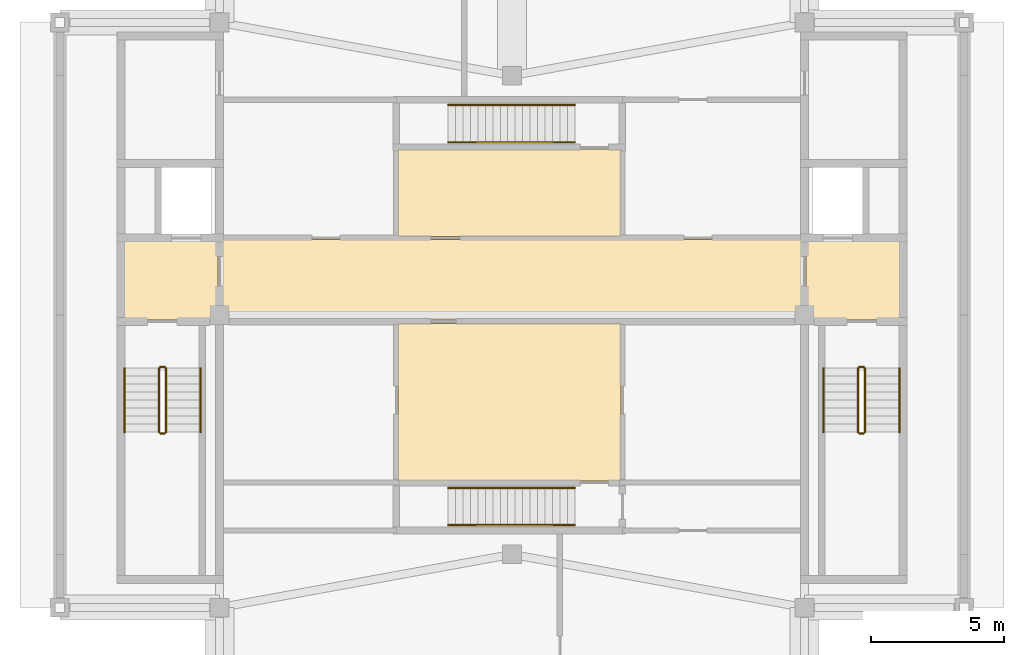
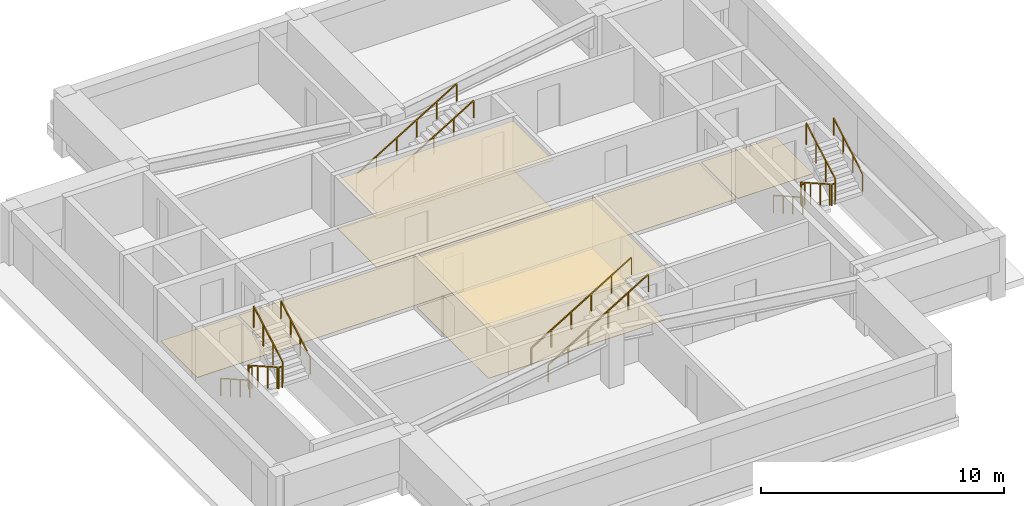
# One storey, part 4 of 4: 16 railings, 7 coverings.
"""IFC4 building model written with IfcOpenShell, lengths in metres."""

from ifc_helpers import new_model, si_unit, direction, frame, origin, origin_2d, place, context, subcontext, project, spatial, polyline, rectangle, outline, extrude, material, layer, layer_set, type_object, element, save


model = new_model("IFC4")

# Units and contexts
model_context = context("Model", 3, precision=1e-05, world=origin(), true_north=direction((0.0, 1.0)))
body_context = subcontext(model_context, "Body", "Model", "MODEL_VIEW")
ifc_project = project(units=[si_unit("LENGTHUNIT", "METRE"), si_unit("AREAUNIT", "SQUARE_METRE"), si_unit("VOLUMEUNIT", "CUBIC_METRE"), si_unit("PLANEANGLEUNIT", "RADIAN"), si_unit("MASSUNIT", "GRAM", prefix="KILO")], contexts=[model_context])

# Site, building, storey
site_placement = place(None, origin())
site = spatial("IfcSite", under=ifc_project, at=site_placement, CompositionType="ELEMENT")
building_placement = place(site_placement, origin())
building = spatial("IfcBuilding", under=site, at=building_placement, Name="Zulmaris Gate Convention Tower", CompositionType="ELEMENT")
storey_placement = place(building_placement, frame((0.0, 0.0, 287.919921875)))
storey = spatial("IfcBuildingStorey", under=building, at=storey_placement, Name="L77", CompositionType="ELEMENT", Elevation=287.919921875)

# Coverings
ifc_material_1 = material(Name="Mineral Fibre Acoustic Ceiling Tile")
ifc_layer_1 = layer(ifc_material_1, 0.02001953125, Name="Mineral Fibre Acoustic Ceiling Tile")
ifc_layer_set_1 = layer_set([ifc_layer_1], Name="Mineral Fibre Acoustic Ceiling Tile")
covering_type_1 = type_object("IfcCoveringType", Name="CLG-ACOUSTIC-600", PredefinedType="CEILING", material=ifc_layer_set_1)
covering_1_placement = place(storey_placement, frame((0.0, 0.0, 2.455078125)))
element("IfcCovering", 1, at=covering_1_placement, inside=storey, type_object=covering_type_1, Name="CLG-L77-R16", PredefinedType="CEILING", context=body_context, shape_type="SweptSolid", body=[
    extrude(outline(polyline([(-4.2900390625, -6.239990234375), (4.090087890625, -6.239990234375), (4.090087890625, -0.31005859375), (-4.2900390625, -0.31005859375), (-4.2900390625, -6.239990234375)])), origin(), (0.0, 0.0, 1.0), 0.02001953125),
])
covering_2_placement = place(storey_placement, frame((0.0, 0.0, 2.455078125)))
element("IfcCovering", 2, at=covering_2_placement, inside=storey, type_object=covering_type_1, Name="CLG-L77-R17", PredefinedType="CEILING", context=body_context, shape_type="SweptSolid", body=[
    extrude(outline(polyline([(-4.2900390625, 2.9599609375), (4.090087890625, 2.9599609375), (4.090087890625, 6.239990234375), (-4.2900390625, 6.239990234375), (-4.2900390625, 2.9599609375)])), origin(), (0.0, 0.0, 1.0), 0.02001953125),
])
ifc_material_2 = material(Name="Woven Acoustic Wool Carpet Tile")
ifc_layer_2 = layer(ifc_material_2, 0.02001953125, Name="Woven Acoustic Wool Carpet Tile")
ifc_layer_set_2 = layer_set([ifc_layer_2], Name="Woven Acoustic Wool Carpet Tile")
covering_type_2 = type_object("IfcCoveringType", Name="FLR-CARPET-12", PredefinedType="FLOORING", material=ifc_layer_set_2)
covering_3_placement = place(storey_placement, origin())
element("IfcCovering", 3, at=covering_3_placement, inside=storey, type_object=covering_type_2, Name="FLR-L77-R03", PredefinedType="FLOORING", context=body_context, shape_type="SweptSolid", body=[
    extrude(outline(polyline([(-14.639892578125, -0.18994140625), (-11.06005859375, -0.18994140625), (-11.06005859375, 2.840087890625), (-14.639892578125, 2.840087890625), (-14.639892578125, -0.18994140625)])), origin(), (0.0, 0.0, 1.0), 0.02001953125),
])
covering_4_placement = place(storey_placement, origin())
element("IfcCovering", 4, at=covering_4_placement, inside=storey, type_object=covering_type_2, Name="FLR-L77-R08", PredefinedType="FLOORING", context=body_context, shape_type="SweptSolid", body=[
    extrude(outline(polyline([(11.06005859375, -0.18994140625), (14.639892578125, -0.18994140625), (14.639892578125, 2.840087890625), (11.06005859375, 2.840087890625), (11.06005859375, -0.18994140625)])), origin(), (0.0, 0.0, 1.0), 0.02001953125),
])
covering_5_placement = place(storey_placement, origin())
element("IfcCovering", 5, at=covering_5_placement, inside=storey, type_object=covering_type_2, Name="FLR-L77-R15", PredefinedType="FLOORING", context=body_context, shape_type="SweptSolid", body=[
    extrude(outline(polyline([(-10.93994140625, -0.18994140625), (10.93994140625, -0.18994140625), (10.93994140625, 2.840087890625), (-10.93994140625, 2.840087890625), (-10.93994140625, -0.18994140625)])), origin(), (0.0, 0.0, 1.0), 0.02001953125),
])
covering_6_placement = place(storey_placement, origin())
element("IfcCovering", 6, at=covering_6_placement, inside=storey, type_object=covering_type_2, Name="FLR-L77-R16", PredefinedType="FLOORING", context=body_context, shape_type="SweptSolid", body=[
    extrude(outline(polyline([(-4.2900390625, -6.239990234375), (4.090087890625, -6.239990234375), (4.090087890625, -0.31005859375), (-4.2900390625, -0.31005859375), (-4.2900390625, -6.239990234375)])), origin(), (0.0, 0.0, 1.0), 0.02001953125),
])
covering_7_placement = place(storey_placement, origin())
element("IfcCovering", 7, at=covering_7_placement, inside=storey, type_object=covering_type_2, Name="FLR-L77-R17", PredefinedType="FLOORING", context=body_context, shape_type="SweptSolid", body=[
    extrude(outline(polyline([(-4.2900390625, 2.9599609375), (4.090087890625, 2.9599609375), (4.090087890625, 6.239990234375), (-4.2900390625, 6.239990234375), (-4.2900390625, 2.9599609375)])), origin(), (0.0, 0.0, 1.0), 0.02001953125),
])

# Railings
ifc_material_3 = material(Name="Painted Galvanised Steel", Category="steel")
railing_type_1 = type_object("IfcRailingType", Name="RL-STG-1150", PredefinedType="GUARDRAIL", material=ifc_material_3)
railing_1_placement = place(storey_placement, frame((-13.27001953125, -2.0, 0.169921875)))
element("IfcRailing", 8, at=railing_1_placement, inside=storey, type_object=railing_type_1, Name="L77 ST-1 stair guard 1", PredefinedType="GUARDRAIL", context=body_context, shape_type="SweptSolid", body=[
    extrude(rectangle(XDim=0.048095703125, YDim=0.048095703125, at=origin_2d()), frame((0.0, 0.0, 1.076171875), z_axis=(0.0, -0.869996876503, 0.493057232859), x_axis=(1.0, 0.0, 0.0)), (0.0, 0.0, 1.0), 2.758544921875),
    extrude(rectangle(XDim=0.0419921875, YDim=0.0419921875, at=origin_2d()), origin(), (0.0, 0.0, 1.0), 1.052001953125),
    extrude(rectangle(XDim=0.0419921875, YDim=0.0419921875, at=origin_2d()), frame((0.0, -0.800048828125, 0.453369140625)), (0.0, 0.0, 1.0), 1.052001953125),
    extrude(rectangle(XDim=0.0419921875, YDim=0.0419921875, at=origin_2d()), frame((0.0, -1.599853515625, 0.90673828125)), (0.0, 0.0, 1.0), 1.052001953125),
    extrude(rectangle(XDim=0.0419921875, YDim=0.0419921875, at=origin_2d()), frame((0.0, -2.39990234375, 1.360107421875)), (0.0, 0.0, 1.0), 1.052001953125),
])
railing_2_placement = place(storey_placement, frame((-13.219970703125, -4.449951171875, 1.530029296875)))
element("IfcRailing", 9, at=railing_2_placement, inside=storey, type_object=railing_type_1, Name="L77 ST-1 stair guard 2", PredefinedType="GUARDRAIL", context=body_context, shape_type="SweptSolid", body=[
    extrude(rectangle(XDim=0.048095703125, YDim=0.048095703125, at=origin_2d()), frame((0.0, 0.0, 1.076171875), z_axis=(1.0, 0.0, 0.0), x_axis=(0.0, 1.0, 0.0)), (0.0, 0.0, 1.0), 0.159912109375),
    extrude(rectangle(XDim=0.0419921875, YDim=0.0419921875, at=origin_2d()), origin(), (0.0, 0.0, 1.0), 1.052001953125),
    extrude(rectangle(XDim=0.0419921875, YDim=0.0419921875, at=origin_2d()), frame((0.159912109375, 0.0, 0.0)), (0.0, 0.0, 1.0), 1.052001953125),
])
railing_3_placement = place(storey_placement, frame((-13.010009765625, -4.39990234375, 1.699951171875)))
element("IfcRailing", 10, at=railing_3_placement, inside=storey, type_object=railing_type_1, Name="L77 ST-1 stair guard 3", PredefinedType="GUARDRAIL", context=body_context, shape_type="SweptSolid", body=[
    extrude(rectangle(XDim=0.048095703125, YDim=0.048095703125, at=origin_2d()), frame((0.0, 0.0, 1.076171875), z_axis=(0.0, 0.869996876503, 0.493057232859), x_axis=(-1.0, 0.0, 0.0)), (0.0, 0.0, 1.0), 2.758544921875),
    extrude(rectangle(XDim=0.0419921875, YDim=0.0419921875, at=origin_2d()), origin(), (0.0, 0.0, 1.0), 1.052001953125),
    extrude(rectangle(XDim=0.0419921875, YDim=0.0419921875, at=origin_2d()), frame((0.0, 0.800048828125, 0.453369140625)), (0.0, 0.0, 1.0), 1.052001953125),
    extrude(rectangle(XDim=0.0419921875, YDim=0.0419921875, at=origin_2d()), frame((0.0, 1.599853515625, 0.90673828125)), (0.0, 0.0, 1.0), 1.052001953125),
    extrude(rectangle(XDim=0.0419921875, YDim=0.0419921875, at=origin_2d()), frame((0.0, 2.39990234375, 1.360107421875)), (0.0, 0.0, 1.0), 1.052001953125),
])
railing_4_placement = place(storey_placement, frame((-13.219970703125, -1.949951171875, 0.0)))
element("IfcRailing", 11, at=railing_4_placement, inside=storey, type_object=railing_type_1, Name="L77 ST-1 stair guard 4", PredefinedType="GUARDRAIL", context=body_context, shape_type="SweptSolid", body=[
    extrude(rectangle(XDim=0.048095703125, YDim=0.048095703125, at=origin_2d()), frame((0.0, 0.0, 1.076171875), z_axis=(1.0, 0.0, 0.0), x_axis=(0.0, 1.0, 0.0)), (0.0, 0.0, 1.0), 0.159912109375),
    extrude(rectangle(XDim=0.0419921875, YDim=0.0419921875, at=origin_2d()), origin(), (0.0, 0.0, 1.0), 1.052001953125),
    extrude(rectangle(XDim=0.0419921875, YDim=0.0419921875, at=origin_2d()), frame((0.159912109375, 0.0, 0.0)), (0.0, 0.0, 1.0), 1.052001953125),
])
railing_5_placement = place(storey_placement, frame((13.010009765625, -2.0, 0.169921875)))
element("IfcRailing", 12, at=railing_5_placement, inside=storey, type_object=railing_type_1, Name="L77 ST-2 stair guard 1", PredefinedType="GUARDRAIL", context=body_context, shape_type="SweptSolid", body=[
    extrude(rectangle(XDim=0.048095703125, YDim=0.048095703125, at=origin_2d()), frame((0.0, 0.0, 1.076171875), z_axis=(0.0, -0.869996876503, 0.493057232859), x_axis=(1.0, 0.0, 0.0)), (0.0, 0.0, 1.0), 2.758544921875),
    extrude(rectangle(XDim=0.0419921875, YDim=0.0419921875, at=origin_2d()), origin(), (0.0, 0.0, 1.0), 1.052001953125),
    extrude(rectangle(XDim=0.0419921875, YDim=0.0419921875, at=origin_2d()), frame((0.0, -0.800048828125, 0.453369140625)), (0.0, 0.0, 1.0), 1.052001953125),
    extrude(rectangle(XDim=0.0419921875, YDim=0.0419921875, at=origin_2d()), frame((0.0, -1.599853515625, 0.90673828125)), (0.0, 0.0, 1.0), 1.052001953125),
    extrude(rectangle(XDim=0.0419921875, YDim=0.0419921875, at=origin_2d()), frame((0.0, -2.39990234375, 1.360107421875)), (0.0, 0.0, 1.0), 1.052001953125),
])
railing_6_placement = place(storey_placement, frame((13.06005859375, -4.449951171875, 1.530029296875)))
element("IfcRailing", 13, at=railing_6_placement, inside=storey, type_object=railing_type_1, Name="L77 ST-2 stair guard 2", PredefinedType="GUARDRAIL", context=body_context, shape_type="SweptSolid", body=[
    extrude(rectangle(XDim=0.048095703125, YDim=0.048095703125, at=origin_2d()), frame((0.0, 0.0, 1.076171875), z_axis=(1.0, 0.0, 0.0), x_axis=(0.0, 1.0, 0.0)), (0.0, 0.0, 1.0), 0.159912109375),
    extrude(rectangle(XDim=0.0419921875, YDim=0.0419921875, at=origin_2d()), origin(), (0.0, 0.0, 1.0), 1.052001953125),
    extrude(rectangle(XDim=0.0419921875, YDim=0.0419921875, at=origin_2d()), frame((0.159912109375, 0.0, 0.0)), (0.0, 0.0, 1.0), 1.052001953125),
])
railing_7_placement = place(storey_placement, frame((13.27001953125, -4.39990234375, 1.699951171875)))
element("IfcRailing", 14, at=railing_7_placement, inside=storey, type_object=railing_type_1, Name="L77 ST-2 stair guard 3", PredefinedType="GUARDRAIL", context=body_context, shape_type="SweptSolid", body=[
    extrude(rectangle(XDim=0.048095703125, YDim=0.048095703125, at=origin_2d()), frame((0.0, 0.0, 1.076171875), z_axis=(0.0, 0.869996876503, 0.493057232859), x_axis=(-1.0, 0.0, 0.0)), (0.0, 0.0, 1.0), 2.758544921875),
    extrude(rectangle(XDim=0.0419921875, YDim=0.0419921875, at=origin_2d()), origin(), (0.0, 0.0, 1.0), 1.052001953125),
    extrude(rectangle(XDim=0.0419921875, YDim=0.0419921875, at=origin_2d()), frame((0.0, 0.800048828125, 0.453369140625)), (0.0, 0.0, 1.0), 1.052001953125),
    extrude(rectangle(XDim=0.0419921875, YDim=0.0419921875, at=origin_2d()), frame((0.0, 1.599853515625, 0.90673828125)), (0.0, 0.0, 1.0), 1.052001953125),
    extrude(rectangle(XDim=0.0419921875, YDim=0.0419921875, at=origin_2d()), frame((0.0, 2.39990234375, 1.360107421875)), (0.0, 0.0, 1.0), 1.052001953125),
])
railing_8_placement = place(storey_placement, frame((13.06005859375, -1.949951171875, 0.0)))
element("IfcRailing", 15, at=railing_8_placement, inside=storey, type_object=railing_type_1, Name="L77 ST-2 stair guard 4", PredefinedType="GUARDRAIL", context=body_context, shape_type="SweptSolid", body=[
    extrude(rectangle(XDim=0.048095703125, YDim=0.048095703125, at=origin_2d()), frame((0.0, 0.0, 1.076171875), z_axis=(1.0, 0.0, 0.0), x_axis=(0.0, 1.0, 0.0)), (0.0, 0.0, 1.0), 0.159912109375),
    extrude(rectangle(XDim=0.0419921875, YDim=0.0419921875, at=origin_2d()), origin(), (0.0, 0.0, 1.0), 1.052001953125),
    extrude(rectangle(XDim=0.0419921875, YDim=0.0419921875, at=origin_2d()), frame((0.159912109375, 0.0, 0.0)), (0.0, 0.0, 1.0), 1.052001953125),
])
ifc_material_4 = material(Name="Brushed Stainless Steel", Category="steel")
railing_type_2 = type_object("IfcRailingType", Name="RL-STH-900", PredefinedType="HANDRAIL", material=ifc_material_4)
railing_9_placement = place(storey_placement, frame((-14.570068359375, -2.0, 0.169921875)))
element("IfcRailing", 16, at=railing_9_placement, inside=storey, type_object=railing_type_2, Name="L77 ST-1 stair handrail 1", PredefinedType="HANDRAIL", context=body_context, shape_type="SweptSolid", body=[
    extrude(rectangle(XDim=0.048095703125, YDim=0.048095703125, at=origin_2d()), frame((0.0, 0.0, 0.8759765625), z_axis=(0.0, -0.869996876503, 0.493057232859), x_axis=(1.0, 0.0, 0.0)), (0.0, 0.0, 1.0), 2.758544921875),
    extrude(rectangle(XDim=0.0419921875, YDim=0.0419921875, at=origin_2d()), origin(), (0.0, 0.0, 1.0), 0.851806640625),
    extrude(rectangle(XDim=0.0419921875, YDim=0.0419921875, at=origin_2d()), frame((0.0, -0.800048828125, 0.453369140625)), (0.0, 0.0, 1.0), 0.851806640625),
    extrude(rectangle(XDim=0.0419921875, YDim=0.0419921875, at=origin_2d()), frame((0.0, -1.599853515625, 0.90673828125)), (0.0, 0.0, 1.0), 0.851806640625),
    extrude(rectangle(XDim=0.0419921875, YDim=0.0419921875, at=origin_2d()), frame((0.0, -2.39990234375, 1.360107421875)), (0.0, 0.0, 1.0), 0.851806640625),
])
railing_10_placement = place(storey_placement, frame((-11.7099609375, -4.39990234375, 1.699951171875)))
element("IfcRailing", 17, at=railing_10_placement, inside=storey, type_object=railing_type_2, Name="L77 ST-1 stair handrail 2", PredefinedType="HANDRAIL", context=body_context, shape_type="SweptSolid", body=[
    extrude(rectangle(XDim=0.048095703125, YDim=0.048095703125, at=origin_2d()), frame((0.0, 0.0, 0.8759765625), z_axis=(0.0, 0.869996876503, 0.493057232859), x_axis=(-1.0, 0.0, 0.0)), (0.0, 0.0, 1.0), 2.758544921875),
    extrude(rectangle(XDim=0.0419921875, YDim=0.0419921875, at=origin_2d()), origin(), (0.0, 0.0, 1.0), 0.851806640625),
    extrude(rectangle(XDim=0.0419921875, YDim=0.0419921875, at=origin_2d()), frame((0.0, 0.800048828125, 0.453369140625)), (0.0, 0.0, 1.0), 0.851806640625),
    extrude(rectangle(XDim=0.0419921875, YDim=0.0419921875, at=origin_2d()), frame((0.0, 1.599853515625, 0.90673828125)), (0.0, 0.0, 1.0), 0.851806640625),
    extrude(rectangle(XDim=0.0419921875, YDim=0.0419921875, at=origin_2d()), frame((0.0, 2.39990234375, 1.360107421875)), (0.0, 0.0, 1.0), 0.851806640625),
])
railing_11_placement = place(storey_placement, frame((11.7099609375, -2.0, 0.169921875)))
element("IfcRailing", 18, at=railing_11_placement, inside=storey, type_object=railing_type_2, Name="L77 ST-2 stair handrail 1", PredefinedType="HANDRAIL", context=body_context, shape_type="SweptSolid", body=[
    extrude(rectangle(XDim=0.048095703125, YDim=0.048095703125, at=origin_2d()), frame((0.0, 0.0, 0.8759765625), z_axis=(0.0, -0.869996876503, 0.493057232859), x_axis=(1.0, 0.0, 0.0)), (0.0, 0.0, 1.0), 2.758544921875),
    extrude(rectangle(XDim=0.0419921875, YDim=0.0419921875, at=origin_2d()), origin(), (0.0, 0.0, 1.0), 0.851806640625),
    extrude(rectangle(XDim=0.0419921875, YDim=0.0419921875, at=origin_2d()), frame((0.0, -0.800048828125, 0.453369140625)), (0.0, 0.0, 1.0), 0.851806640625),
    extrude(rectangle(XDim=0.0419921875, YDim=0.0419921875, at=origin_2d()), frame((0.0, -1.599853515625, 0.90673828125)), (0.0, 0.0, 1.0), 0.851806640625),
    extrude(rectangle(XDim=0.0419921875, YDim=0.0419921875, at=origin_2d()), frame((0.0, -2.39990234375, 1.360107421875)), (0.0, 0.0, 1.0), 0.851806640625),
])
railing_12_placement = place(storey_placement, frame((14.570068359375, -4.39990234375, 1.699951171875)))
element("IfcRailing", 19, at=railing_12_placement, inside=storey, type_object=railing_type_2, Name="L77 ST-2 stair handrail 2", PredefinedType="HANDRAIL", context=body_context, shape_type="SweptSolid", body=[
    extrude(rectangle(XDim=0.048095703125, YDim=0.048095703125, at=origin_2d()), frame((0.0, 0.0, 0.8759765625), z_axis=(0.0, 0.869996876503, 0.493057232859), x_axis=(-1.0, 0.0, 0.0)), (0.0, 0.0, 1.0), 2.758544921875),
    extrude(rectangle(XDim=0.0419921875, YDim=0.0419921875, at=origin_2d()), origin(), (0.0, 0.0, 1.0), 0.851806640625),
    extrude(rectangle(XDim=0.0419921875, YDim=0.0419921875, at=origin_2d()), frame((0.0, 0.800048828125, 0.453369140625)), (0.0, 0.0, 1.0), 0.851806640625),
    extrude(rectangle(XDim=0.0419921875, YDim=0.0419921875, at=origin_2d()), frame((0.0, 1.599853515625, 0.90673828125)), (0.0, 0.0, 1.0), 0.851806640625),
    extrude(rectangle(XDim=0.0419921875, YDim=0.0419921875, at=origin_2d()), frame((0.0, 2.39990234375, 1.360107421875)), (0.0, 0.0, 1.0), 0.851806640625),
])
for number, where, name in (
    (20, (-2.39990234375, -7.89990234375, 0.169921875), "L77 ST-7 stair handrail 1"),
    (21, (-2.39990234375, -6.5, 0.169921875), "L77 ST-7 stair handrail 2"),
    (22, (-2.39990234375, 6.5, 0.169921875), "L77 ST-8 stair handrail 1"),
    (23, (-2.39990234375, 7.89990234375, 0.169921875), "L77 ST-8 stair handrail 2"),
):
    element("IfcRailing", number, at=place(storey_placement, frame(where)), inside=storey, type_object=railing_type_2, Name=name, PredefinedType="HANDRAIL", context=body_context, shape_type="SweptSolid", body=[
        extrude(rectangle(XDim=0.048095703125, YDim=0.048095703125, at=origin_2d()), frame((0.0, 0.0, 0.8759765625), z_axis=(0.854777096061, 0.0, 0.518995294824), x_axis=(0.0, 1.0, 0.0)), (0.0, 0.0, 1.0), 5.568603515625),
        extrude(rectangle(XDim=0.0419921875, YDim=0.0419921875, at=origin_2d()), origin(), (0.0, 0.0, 1.0), 0.851806640625),
        extrude(rectangle(XDim=0.0419921875, YDim=0.0419921875, at=origin_2d()), frame((0.951904296875, 0.0, 0.578125)), (0.0, 0.0, 1.0), 0.851806640625),
        extrude(rectangle(XDim=0.0419921875, YDim=0.0419921875, at=origin_2d()), frame((1.904052734375, 0.0, 1.156005859375)), (0.0, 0.0, 1.0), 0.851806640625),
        extrude(rectangle(XDim=0.0419921875, YDim=0.0419921875, at=origin_2d()), frame((2.85595703125, 0.0, 1.734130859375)), (0.0, 0.0, 1.0), 0.851806640625),
        extrude(rectangle(XDim=0.0419921875, YDim=0.0419921875, at=origin_2d()), frame((3.80810546875, 0.0, 2.31201171875)), (0.0, 0.0, 1.0), 0.851806640625),
        extrude(rectangle(XDim=0.0419921875, YDim=0.0419921875, at=origin_2d()), frame((4.760009765625, 0.0, 2.89013671875)), (0.0, 0.0, 1.0), 0.851806640625),
    ])

save(model, "model.ifc")
